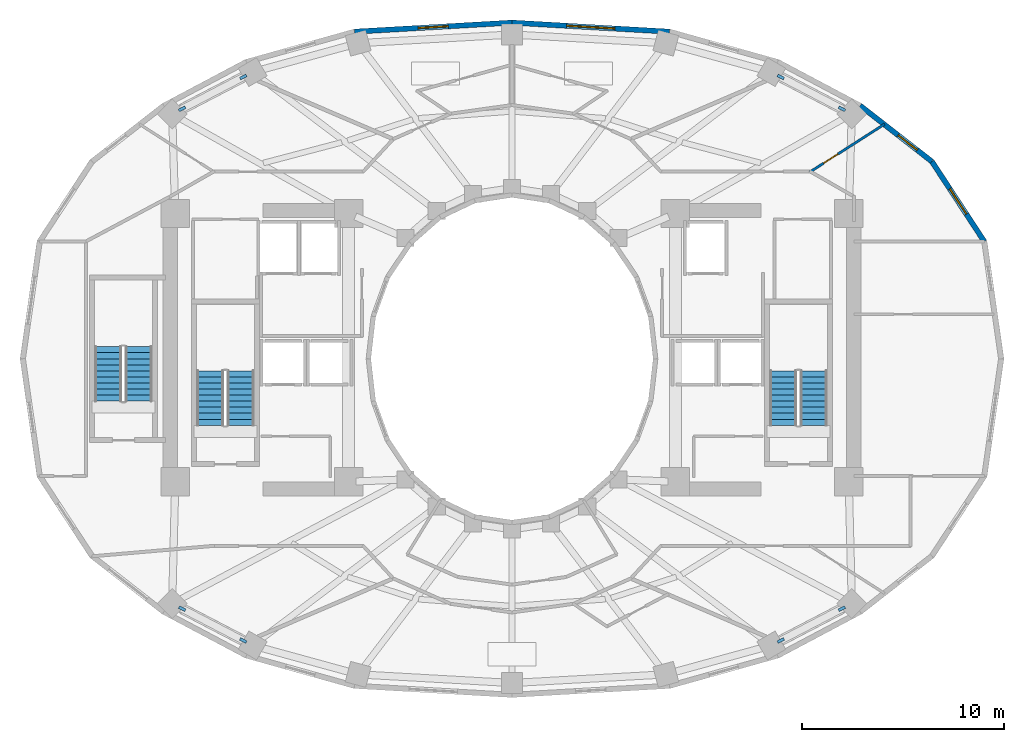
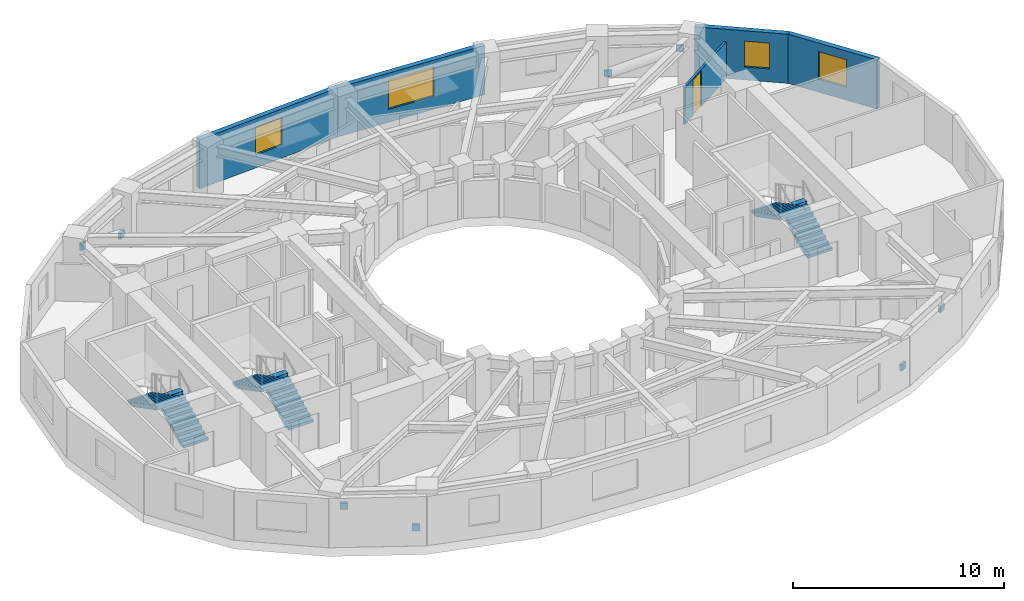
# One storey, part 7 of 9: 8 discrete accessories, 6 stair flights, 5 walls, 4 windows, 1 door, 5 openings, 3 elements without a shape of their own.
"""IFC4 building model written with IfcOpenShell, lengths in metres."""

from ifc_helpers import new_model, si_unit, direction, frame, frame_2d, origin, origin_2d, place, context, subcontext, project, spatial, polyline, rectangle, outline, extrude, material, layer, layer_set, type_object, element, fill, aggregate, save


model = new_model("IFC4")

# Units and contexts
model_context = context("Model", 3, precision=1e-05, world=origin(), true_north=direction((0.0, 1.0)))
body_context = subcontext(model_context, "Body", "Model", "MODEL_VIEW")
ifc_project = project(units=[si_unit("LENGTHUNIT", "METRE"), si_unit("AREAUNIT", "SQUARE_METRE"), si_unit("VOLUMEUNIT", "CUBIC_METRE"), si_unit("PLANEANGLEUNIT", "RADIAN"), si_unit("MASSUNIT", "GRAM", prefix="KILO")], contexts=[model_context])

# Site, building, storey
site_placement = place(None, origin())
site = spatial("IfcSite", under=ifc_project, at=site_placement, CompositionType="ELEMENT")
building_placement = place(site_placement, origin())
building = spatial("IfcBuilding", under=site, at=building_placement, Name="Solvane Sanctuary Tower", CompositionType="ELEMENT")
storey_placement = place(building_placement, frame((0.0, 0.0, 122.800048828125)))
storey = spatial("IfcBuildingStorey", under=building, at=storey_placement, Name="L37", CompositionType="ELEMENT", Elevation=122.800048828125)

# Wall, opening, window
ifc_material_1 = material(Name="Precast concrete C40/50", Category="concrete")
ifc_layer_1 = layer(ifc_material_1, 0.260009765625, Name="Precast concrete C40/50")
ifc_layer_set_1 = layer_set([ifc_layer_1], Name="Precast concrete C40/50")
wall_type_1 = type_object("IfcWallType", Name="Wall W-EXT-250", PredefinedType="STANDARD", material=ifc_layer_set_1)
wall_1_placement = place(storey_placement, frame((55.421875, 28.818603515625, 0.0), z_axis=(0.0, 0.0, 1.0), x_axis=(-0.548283220945, 0.836292717672, 0.0)))
wall_1 = element("IfcWall", 1, at=wall_1_placement, inside=storey, type_object=wall_type_1, Name="L37 Ceramic-Printed Facade Wall 01", PredefinedType="STANDARD", context=body_context, shape_type="SweptSolid", body=[
    extrude(rectangle(XDim=4.744384765625, YDim=0.260009765625, at=frame_2d((2.3720703125, 0.0))), origin(), (0.0, 0.0, 1.0), 2.849853515625),
])
opening_1_placement = place(wall_1_placement, frame((1.622314453125, 0.0, 0.75)))
opening_1 = element("IfcOpeningElement", 2, at=opening_1_placement, cuts=wall_1, Name="Opening WN-OPER-1500", PredefinedType="OPENING", context=body_context, shape_type="SweptSolid", body=[
    extrude(rectangle(XDim=1.5, YDim=1.60009765625, at=frame_2d((0.75, 0.800048828125))), frame((0.0, 0.139892578125, 0.0), z_axis=(0.0, -1.0, 0.0), x_axis=(1.0, 0.0, 0.0)), (0.0, 0.0, 1.0), 0.280029296875),
])
ifc_material_2 = material(Name="Dark Ceramic-Fritted Low-E Glass", Category="glass")
window_type_1 = type_object("IfcWindowType", Name="Window WN-OPER-1500", PartitioningType="SINGLE_PANEL", PredefinedType="WINDOW", material=ifc_material_2)
window_1_placement = place(opening_1_placement, origin())
window_1 = element("IfcWindow", 3, at=window_1_placement, inside=storey, type_object=window_type_1, Name="L37 Operable Facade Window 01", OverallHeight=1.60009765625, OverallWidth=1.5, PartitioningType="SINGLE_PANEL", PredefinedType="WINDOW", context=body_context, shape_type="SweptSolid", body=[
    extrude(rectangle(XDim=1.5, YDim=1.60009765625, at=frame_2d((0.75, 0.800048828125))), frame((0.0, 0.030029296875, 0.0), z_axis=(0.0, -1.0, 0.0), x_axis=(1.0, 0.0, 0.0)), (0.0, 0.0, 1.0), 0.06005859375),
])
fill(opening_1, window_1)

wall_2_placement = place(storey_placement, frame((52.820556640625, 32.786376953125, 0.0), z_axis=(0.0, 0.0, 1.0), x_axis=(-0.789127449954, 0.614229491094, 0.0)))
wall_2 = element("IfcWall", 4, at=wall_2_placement, inside=storey, type_object=wall_type_1, Name="L37 Ceramic-Printed Facade Wall 02", PredefinedType="STANDARD", context=body_context, shape_type="SweptSolid", body=[
    extrude(rectangle(XDim=4.504638671875, YDim=0.260009765625, at=frame_2d((2.25244140625, 0.0))), origin(), (0.0, 0.0, 1.0), 2.849853515625),
])
opening_2_placement = place(wall_2_placement, frame((0.921630859375, 0.0, 0.75)))
opening_2 = element("IfcOpeningElement", 5, at=opening_2_placement, cuts=wall_2, Name="Opening WN-OPER-1200", PredefinedType="OPENING", context=body_context, shape_type="SweptSolid", body=[
    extrude(rectangle(XDim=1.199951171875, YDim=1.5, at=frame_2d((0.60009765625, 0.75))), frame((0.0, 0.139892578125, 0.0), z_axis=(0.0, -1.0, 0.0), x_axis=(1.0, 0.0, 0.0)), (0.0, 0.0, 1.0), 0.280029296875),
])
window_type_2 = type_object("IfcWindowType", Name="Window WN-OPER-1200", PartitioningType="SINGLE_PANEL", PredefinedType="WINDOW", material=ifc_material_2)
window_2_placement = place(opening_2_placement, origin())
window_2 = element("IfcWindow", 6, at=window_2_placement, inside=storey, type_object=window_type_2, Name="L37 Operable Facade Window 02", OverallHeight=1.5, OverallWidth=1.199951171875, PartitioningType="SINGLE_PANEL", PredefinedType="WINDOW", context=body_context, shape_type="SweptSolid", body=[
    extrude(rectangle(XDim=1.199951171875, YDim=1.5, at=frame_2d((0.60009765625, 0.75))), frame((0.0, 0.030029296875, 0.0), z_axis=(0.0, -1.0, 0.0), x_axis=(1.0, 0.0, 0.0)), (0.0, 0.0, 1.0), 0.06005859375),
])
fill(opening_2, window_2)

wall_3_placement = place(storey_placement, frame((39.81640625, 39.2216796875, 0.0), z_axis=(0.0, 0.0, 1.0), x_axis=(-0.998352606703, 0.057376586592, 0.0)))
wall_3 = element("IfcWall", 7, at=wall_3_placement, inside=storey, type_object=wall_type_1, Name="L37 Ceramic-Printed Facade Wall 05", PredefinedType="STANDARD", context=body_context, shape_type="SweptSolid", body=[
    extrude(rectangle(XDim=7.829345703125, YDim=0.260009765625, at=frame_2d((3.91455078125, 0.0))), origin(), (0.0, 0.0, 1.0), 2.849853515625),
])
opening_3_placement = place(wall_3_placement, frame((2.714599609375, 0.0, 0.75)))
opening_3 = element("IfcOpeningElement", 8, at=opening_3_placement, cuts=wall_3, Name="Opening WN-RIB-2400", PredefinedType="OPENING", context=body_context, shape_type="SweptSolid", body=[
    extrude(rectangle(XDim=2.39990234375, YDim=1.699951171875, at=frame_2d((1.199951171875, 0.85009765625))), frame((0.0, 0.139892578125, 0.0), z_axis=(0.0, -1.0, 0.0), x_axis=(1.0, 0.0, 0.0)), (0.0, 0.0, 1.0), 0.280029296875),
])
window_type_3 = type_object("IfcWindowType", Name="Window WN-RIB-2400", PartitioningType="SINGLE_PANEL", PredefinedType="WINDOW", material=ifc_material_2)
window_3_placement = place(opening_3_placement, origin())
window_3 = element("IfcWindow", 9, at=window_3_placement, inside=storey, type_object=window_type_3, Name="L37 Operable Facade Window 05", OverallHeight=1.699951171875, OverallWidth=2.39990234375, PartitioningType="SINGLE_PANEL", PredefinedType="WINDOW", context=body_context, shape_type="SweptSolid", body=[
    extrude(rectangle(XDim=2.39990234375, YDim=1.699951171875, at=frame_2d((1.199951171875, 0.85009765625))), frame((0.0, 0.030029296875, 0.0), z_axis=(0.0, -1.0, 0.0), x_axis=(1.0, 0.0, 0.0)), (0.0, 0.0, 1.0), 0.06005859375),
])
fill(opening_3, window_3)

wall_4_placement = place(storey_placement, frame((32.0, 39.6708984375, 0.0), z_axis=(0.0, 0.0, 1.0), x_axis=(-0.998352606703, -0.057376586592, 0.0)))
wall_4 = element("IfcWall", 10, at=wall_4_placement, inside=storey, type_object=wall_type_1, Name="L37 Ceramic-Printed Facade Wall 06", PredefinedType="STANDARD", context=body_context, shape_type="SweptSolid", body=[
    extrude(rectangle(XDim=7.829345703125, YDim=0.260009765625, at=frame_2d((3.91455078125, 0.0))), origin(), (0.0, 0.0, 1.0), 2.849853515625),
])
opening_4_placement = place(wall_4_placement, frame((3.16455078125, 0.0, 0.75)))
opening_4 = element("IfcOpeningElement", 11, at=opening_4_placement, cuts=wall_4, Name="Opening WN-OPER-1500", PredefinedType="OPENING", context=body_context, shape_type="SweptSolid", body=[
    extrude(rectangle(XDim=1.5, YDim=1.60009765625, at=frame_2d((0.75, 0.800048828125))), frame((0.0, 0.139892578125, 0.0), z_axis=(0.0, -1.0, 0.0), x_axis=(1.0, 0.0, 0.0)), (0.0, 0.0, 1.0), 0.280029296875),
])
window_4_placement = place(opening_4_placement, origin())
window_4 = element("IfcWindow", 12, at=window_4_placement, inside=storey, type_object=window_type_1, Name="L37 Operable Facade Window 06", OverallHeight=1.60009765625, OverallWidth=1.5, PartitioningType="SINGLE_PANEL", PredefinedType="WINDOW", context=body_context, shape_type="SweptSolid", body=[
    extrude(rectangle(XDim=1.5, YDim=1.60009765625, at=frame_2d((0.75, 0.800048828125))), frame((0.0, 0.030029296875, 0.0), z_axis=(0.0, -1.0, 0.0), x_axis=(1.0, 0.0, 0.0)), (0.0, 0.0, 1.0), 0.06005859375),
])
fill(opening_4, window_4)

# Wall, opening, door
ifc_material_3 = material(Name="Acoustic Gypsum Partition Board")
ifc_layer_2 = layer(ifc_material_3, 0.1201171875, Name="Acoustic Gypsum Partition Board")
ifc_layer_set_2 = layer_set([ifc_layer_2], Name="Acoustic Gypsum Partition Board")
wall_type_2 = type_object("IfcWallType", Name="Wall W-MOV-100", PredefinedType="MOVABLE", material=ifc_layer_set_2)
wall_5_placement = place(storey_placement, frame((46.7578125, 32.2529296875, 0.0), z_axis=(0.0, 0.0, 1.0), x_axis=(0.841897149708, 0.539638016928, 0.0)))
wall_5 = element("IfcWall", 13, at=wall_5_placement, inside=storey, type_object=wall_type_2, Name="L37 NE Corner Suite Partition", PredefinedType="MOVABLE", context=body_context, shape_type="SweptSolid", body=[
    extrude(rectangle(XDim=4.42138671875, YDim=0.1201171875, at=frame_2d((2.210693359375, 0.0))), origin(), (0.0, 0.0, 1.0), 2.141845703125),
])
opening_5_placement = place(wall_5_placement, frame((0.8212890625, 0.0, 0.0)))
opening_5 = element("IfcOpeningElement", 14, at=opening_5_placement, cuts=wall_5, Name="Opening D-L37-13", PredefinedType="OPENING", context=body_context, shape_type="SweptSolid", body=[
    extrude(rectangle(XDim=0.85009765625, YDim=2.050048828125, at=frame_2d((0.425048828125, 1.02490234375))), frame((0.0, 0.070068359375, 0.0), z_axis=(0.0, -1.0, 0.0), x_axis=(1.0, 0.0, 0.0)), (0.0, 0.0, 1.0), 0.14013671875),
])
ifc_material_4 = material(Name="Architectural Stainless Steel 316", Category="steel")
door_type = type_object("IfcDoorType", Name="Door D-RISER", OperationType="NOTDEFINED", PredefinedType="DOOR", material=ifc_material_4)
door_placement = place(opening_5_placement, origin())
door = element("IfcDoor", 15, at=door_placement, inside=storey, type_object=door_type, Name="L37 NE Corner Suite Door", OperationType="SINGLE_SWING_RIGHT", OverallHeight=2.050048828125, OverallWidth=0.85009765625, PredefinedType="DOOR", context=body_context, shape_type="SweptSolid", body=[
    extrude(rectangle(XDim=0.85009765625, YDim=2.050048828125, at=frame_2d((0.425048828125, 1.02490234375))), frame((0.0, 0.02490234375, 0.0), z_axis=(0.0, -1.0, 0.0), x_axis=(1.0, 0.0, 0.0)), (0.0, 0.0, 1.0), 0.050048828125),
])
fill(opening_5, door)

# Stair, stair flights
ifc_material_5 = material(Name="Concrete C45/55", Category="concrete")
stair_type = type_object("IfcStairType", Name="Stair ST-TOW", PredefinedType="HALF_TURN_STAIR", material=ifc_material_5)
stair_1_placement = place(storey_placement, origin())
stair_1 = element("IfcStair", 16, at=stair_1_placement, inside=storey, type_object=stair_type, Name="L37 Exit Stair ST-1 West Core", PredefinedType="HALF_TURN_STAIR")
stair_flight_type = type_object("IfcStairFlightType", Name="StairFlight SF-TOW", PredefinedType="STRAIGHT", material=ifc_material_5)
stair_flight_1_placement = place(storey_placement, frame((18.544921875, 19.699951171875, 0.0), z_axis=(0.0, 0.0, 1.0), x_axis=(0.0, 1.0, 0.0)))
stair_flight_1 = element("IfcStairFlight", 17, at=stair_flight_1_placement, type_object=stair_flight_type, Name="ST-1 flight 1", NumberOfRisers=10, NumberOfTreads=9, PredefinedType="STRAIGHT", RiserHeight=0.155, TreadLength=0.3, context=body_context, shape_type="SweptSolid", body=[
    extrude(outline(polyline([(0.0, 0.0), (0.0, 0.155029296875), (0.300048828125, 0.155029296875), (0.300048828125, 0.31005859375), (0.60009765625, 0.31005859375), (0.60009765625, 0.465087890625), (0.89990234375, 0.465087890625), (0.89990234375, 0.6201171875), (1.199951171875, 0.6201171875), (1.199951171875, 0.77490234375), (1.5, 0.77490234375), (1.5, 0.929931640625), (1.800048828125, 0.929931640625), (1.800048828125, 1.0849609375), (2.10009765625, 1.0849609375), (2.10009765625, 1.239990234375), (2.39990234375, 1.239990234375), (2.39990234375, 1.39501953125), (2.699951171875, 1.39501953125), (2.699951171875, 1.550048828125), (2.699951171875, 1.1923828125), (0.39208984375, 0.0), (0.0, 0.0)])), frame((0.0, 0.675048828125, 0.0), z_axis=(0.0, -1.0, 0.0), x_axis=(1.0, 0.0, 0.0)), (0.0, 0.0, 1.0), 1.35009765625),
])
stair_flight_2_placement = place(storey_placement, frame((17.034912109375, 22.39990234375, 1.550048828125), z_axis=(0.0, 0.0, 1.0), x_axis=(0.0, -1.0, 0.0)))
stair_flight_2 = element("IfcStairFlight", 18, at=stair_flight_2_placement, type_object=stair_flight_type, Name="ST-1 flight 2", NumberOfRisers=10, NumberOfTreads=9, PredefinedType="STRAIGHT", RiserHeight=0.155, TreadLength=0.3, context=body_context, shape_type="SweptSolid", body=[
    extrude(outline(polyline([(0.0, 0.0), (0.0, 0.155029296875), (0.300048828125, 0.155029296875), (0.300048828125, 0.31005859375), (0.60009765625, 0.31005859375), (0.60009765625, 0.465087890625), (0.89990234375, 0.465087890625), (0.89990234375, 0.6201171875), (1.199951171875, 0.6201171875), (1.199951171875, 0.77490234375), (1.5, 0.77490234375), (1.5, 0.929931640625), (1.800048828125, 0.929931640625), (1.800048828125, 1.0849609375), (2.10009765625, 1.0849609375), (2.10009765625, 1.239990234375), (2.39990234375, 1.239990234375), (2.39990234375, 1.39501953125), (2.699951171875, 1.39501953125), (2.699951171875, 1.550048828125), (2.699951171875, 1.1923828125), (0.39208984375, 0.0), (0.0, 0.0)])), frame((0.0, 0.675048828125, 0.0), z_axis=(0.0, -1.0, 0.0), x_axis=(1.0, 0.0, 0.0)), (0.0, 0.0, 1.0), 1.35009765625),
])
aggregate(stair_1, [stair_flight_1, stair_flight_2])

stair_2_placement = place(storey_placement, origin())
stair_2 = element("IfcStair", 19, at=stair_2_placement, inside=storey, type_object=stair_type, Name="L37 Exit Stair ST-2 East Core", PredefinedType="HALF_TURN_STAIR")
stair_flight_3_placement = place(storey_placement, frame((46.965087890625, 19.699951171875, 0.0), z_axis=(0.0, 0.0, 1.0), x_axis=(0.0, 1.0, 0.0)))
stair_flight_3 = element("IfcStairFlight", 20, at=stair_flight_3_placement, type_object=stair_flight_type, Name="ST-2 flight 1", NumberOfRisers=10, NumberOfTreads=9, PredefinedType="STRAIGHT", RiserHeight=0.155, TreadLength=0.3, context=body_context, shape_type="SweptSolid", body=[
    extrude(outline(polyline([(0.0, 0.0), (0.0, 0.155029296875), (0.300048828125, 0.155029296875), (0.300048828125, 0.31005859375), (0.60009765625, 0.31005859375), (0.60009765625, 0.465087890625), (0.89990234375, 0.465087890625), (0.89990234375, 0.6201171875), (1.199951171875, 0.6201171875), (1.199951171875, 0.77490234375), (1.5, 0.77490234375), (1.5, 0.929931640625), (1.800048828125, 0.929931640625), (1.800048828125, 1.0849609375), (2.10009765625, 1.0849609375), (2.10009765625, 1.239990234375), (2.39990234375, 1.239990234375), (2.39990234375, 1.39501953125), (2.699951171875, 1.39501953125), (2.699951171875, 1.550048828125), (2.699951171875, 1.1923828125), (0.39208984375, 0.0), (0.0, 0.0)])), frame((0.0, 0.675048828125, 0.0), z_axis=(0.0, -1.0, 0.0), x_axis=(1.0, 0.0, 0.0)), (0.0, 0.0, 1.0), 1.35009765625),
])
stair_flight_4_placement = place(storey_placement, frame((45.455078125, 22.39990234375, 1.550048828125), z_axis=(0.0, 0.0, 1.0), x_axis=(0.0, -1.0, 0.0)))
stair_flight_4 = element("IfcStairFlight", 21, at=stair_flight_4_placement, type_object=stair_flight_type, Name="ST-2 flight 2", NumberOfRisers=10, NumberOfTreads=9, PredefinedType="STRAIGHT", RiserHeight=0.155, TreadLength=0.3, context=body_context, shape_type="SweptSolid", body=[
    extrude(outline(polyline([(0.0, 0.0), (0.0, 0.155029296875), (0.300048828125, 0.155029296875), (0.300048828125, 0.31005859375), (0.60009765625, 0.31005859375), (0.60009765625, 0.465087890625), (0.89990234375, 0.465087890625), (0.89990234375, 0.6201171875), (1.199951171875, 0.6201171875), (1.199951171875, 0.77490234375), (1.5, 0.77490234375), (1.5, 0.929931640625), (1.800048828125, 0.929931640625), (1.800048828125, 1.0849609375), (2.10009765625, 1.0849609375), (2.10009765625, 1.239990234375), (2.39990234375, 1.239990234375), (2.39990234375, 1.39501953125), (2.699951171875, 1.39501953125), (2.699951171875, 1.550048828125), (2.699951171875, 1.1923828125), (0.39208984375, 0.0), (0.0, 0.0)])), frame((0.0, 0.675048828125, 0.0), z_axis=(0.0, -1.0, 0.0), x_axis=(1.0, 0.0, 0.0)), (0.0, 0.0, 1.0), 1.35009765625),
])
aggregate(stair_2, [stair_flight_3, stair_flight_4])

stair_3_placement = place(storey_placement, origin())
stair_3 = element("IfcStair", 22, at=stair_3_placement, inside=storey, type_object=stair_type, Name="L37 Exit Stair ST-3 Pilgrim Tower Stair", PredefinedType="HALF_TURN_STAIR")
stair_flight_5_placement = place(storey_placement, frame((13.485107421875, 20.89990234375, 0.0), z_axis=(0.0, 0.0, 1.0), x_axis=(0.0, 1.0, 0.0)))
stair_flight_5 = element("IfcStairFlight", 23, at=stair_flight_5_placement, type_object=stair_flight_type, Name="ST-3 flight 1", NumberOfRisers=10, NumberOfTreads=9, PredefinedType="STRAIGHT", RiserHeight=0.155, TreadLength=0.3, context=body_context, shape_type="SweptSolid", body=[
    extrude(outline(polyline([(0.0, 0.0), (0.0, 0.155029296875), (0.300048828125, 0.155029296875), (0.300048828125, 0.31005859375), (0.60009765625, 0.31005859375), (0.60009765625, 0.465087890625), (0.89990234375, 0.465087890625), (0.89990234375, 0.6201171875), (1.199951171875, 0.6201171875), (1.199951171875, 0.77490234375), (1.5, 0.77490234375), (1.5, 0.929931640625), (1.800048828125, 0.929931640625), (1.800048828125, 1.0849609375), (2.10009765625, 1.0849609375), (2.10009765625, 1.239990234375), (2.39990234375, 1.239990234375), (2.39990234375, 1.39501953125), (2.699951171875, 1.39501953125), (2.699951171875, 1.550048828125), (2.699951171875, 1.1923828125), (0.39208984375, 0.0), (0.0, 0.0)])), frame((0.0, 0.675048828125, 0.0), z_axis=(0.0, -1.0, 0.0), x_axis=(1.0, 0.0, 0.0)), (0.0, 0.0, 1.0), 1.35009765625),
])
stair_flight_6_placement = place(storey_placement, frame((11.97509765625, 23.60009765625, 1.550048828125), z_axis=(0.0, 0.0, 1.0), x_axis=(0.0, -1.0, 0.0)))
stair_flight_6 = element("IfcStairFlight", 24, at=stair_flight_6_placement, type_object=stair_flight_type, Name="ST-3 flight 2", NumberOfRisers=10, NumberOfTreads=9, PredefinedType="STRAIGHT", RiserHeight=0.155, TreadLength=0.3, context=body_context, shape_type="SweptSolid", body=[
    extrude(outline(polyline([(0.0, 0.0), (0.0, 0.155029296875), (0.300048828125, 0.155029296875), (0.300048828125, 0.31005859375), (0.60009765625, 0.31005859375), (0.60009765625, 0.465087890625), (0.89990234375, 0.465087890625), (0.89990234375, 0.6201171875), (1.199951171875, 0.6201171875), (1.199951171875, 0.77490234375), (1.5, 0.77490234375), (1.5, 0.929931640625), (1.800048828125, 0.929931640625), (1.800048828125, 1.0849609375), (2.10009765625, 1.0849609375), (2.10009765625, 1.239990234375), (2.39990234375, 1.239990234375), (2.39990234375, 1.39501953125), (2.699951171875, 1.39501953125), (2.699951171875, 1.550048828125), (2.699951171875, 1.1923828125), (0.39208984375, 0.0), (0.0, 0.0)])), frame((0.0, 0.675048828125, 0.0), z_axis=(0.0, -1.0, 0.0), x_axis=(1.0, 0.0, 0.0)), (0.0, 0.0, 1.0), 1.35009765625),
])
aggregate(stair_3, [stair_flight_5, stair_flight_6])

# Discrete accessories
ifc_material_6 = material(Name="Steel ASTM A572 Grade 50", Category="steel")
ifc_layer_3 = layer(ifc_material_6, 0.360107421875, Name="Steel ASTM A572 Grade 50")
ifc_layer_set_3 = layer_set([ifc_layer_3], Name="Steel ASTM A572 Grade 50")
discrete_accessory_type = type_object("IfcDiscreteAccessoryType", Name="Accessory ACC-GUSSET-BRK", PredefinedType="BRACKET", material=ifc_layer_set_3)
for number, where, z_axis, x_axis, name in (
    (25, (45.32861328125, 36.97265625, 0.4111328125), (0.0, 0.0, 1.0), (0.887010833178, -0.461748613235, 0.0), "L37 Perimeter Braced-Tube Diagonal NE End Gusset Bracket A"),
    (26, (48.360595703125, 35.39453125, 1.77099609375), (0.0, 0.0, 1.0), (0.887010833178, -0.461748613235, 0.0), "L37 Perimeter Braced-Tube Diagonal NE End Gusset Bracket B"),
    (27, (18.67138671875, 36.97265625, 0.4111328125), (0.0, 0.0, 1.0), (-0.887010833178, -0.461748613235, 0.0), "L37 Perimeter Braced-Tube Diagonal NW End Gusset Bracket A"),
    (28, (15.639404296875, 35.39453125, 1.77099609375), (0.0, 0.0, 1.0), (-0.887010833178, -0.461748613235, 0.0), "L37 Perimeter Braced-Tube Diagonal NW End Gusset Bracket B"),
    (29, (18.67138671875, 9.02734375, 0.4111328125), (0.0, 0.0, 1.0), (-0.887010833178, 0.461748613235, 0.0), "L37 Perimeter Braced-Tube Diagonal SW End Gusset Bracket A"),
    (30, (15.639404296875, 10.60546875, 1.77099609375), (0.0, 0.0, 1.0), (-0.887010833178, 0.461748613235, 0.0), "L37 Perimeter Braced-Tube Diagonal SW End Gusset Bracket B"),
    (31, (45.32861328125, 9.02734375, 0.4111328125), (0.0, 0.0, 1.0), (0.887010833178, 0.461748613235, 0.0), "L37 Perimeter Braced-Tube Diagonal SE End Gusset Bracket A"),
    (32, (48.360595703125, 10.60546875, 1.77099609375), (0.0, 0.0, 1.0), (0.887010833178, 0.461748613235, 0.0), "L37 Perimeter Braced-Tube Diagonal SE End Gusset Bracket B"),
):
    element("IfcDiscreteAccessory", number, at=place(storey_placement, frame(where, z_axis=z_axis, x_axis=x_axis)), inside=storey, type_object=discrete_accessory_type, Name=name, PredefinedType="BRACKET", context=body_context, shape_type="SweptSolid", body=[
        extrude(rectangle(XDim=0.360107421875, YDim=0.139892578125, at=origin_2d()), origin(), (0.0, 0.0, 1.0), 0.360107421875),
    ])

save(model, "model.ifc")
